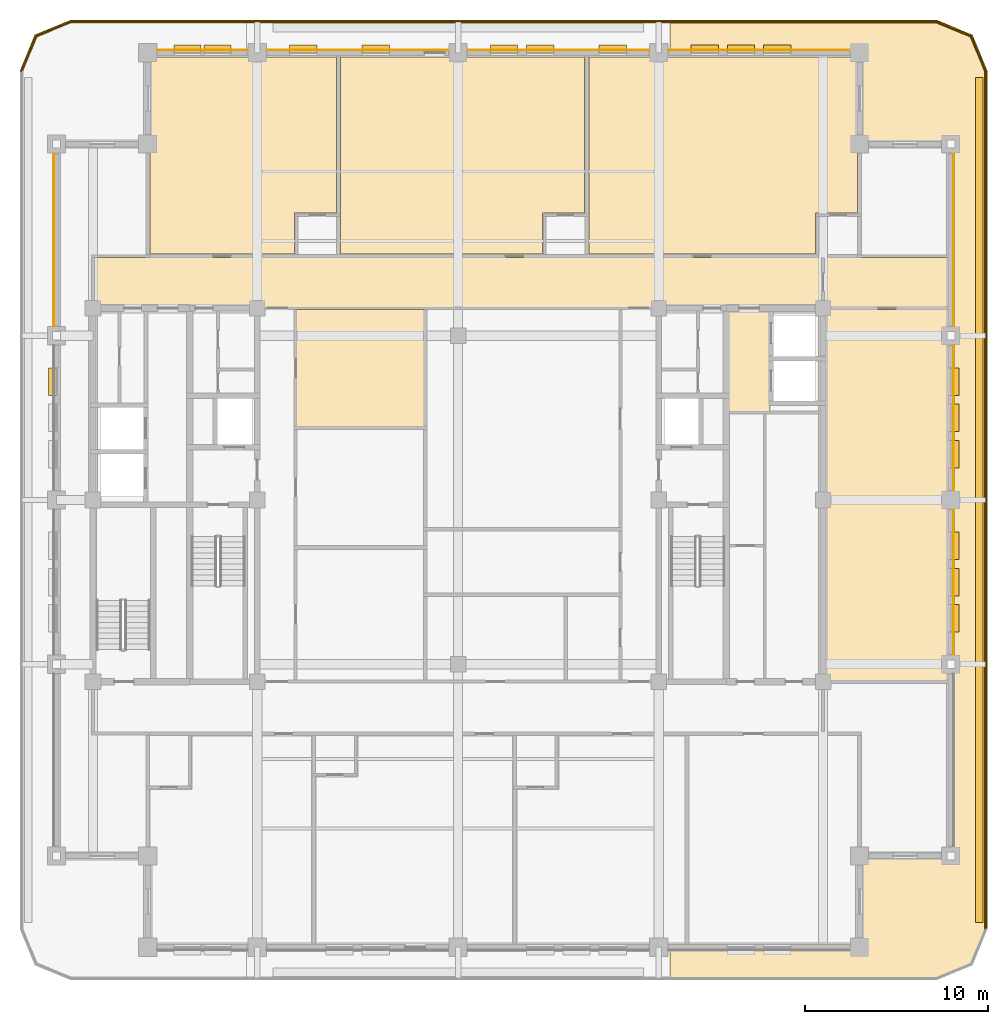
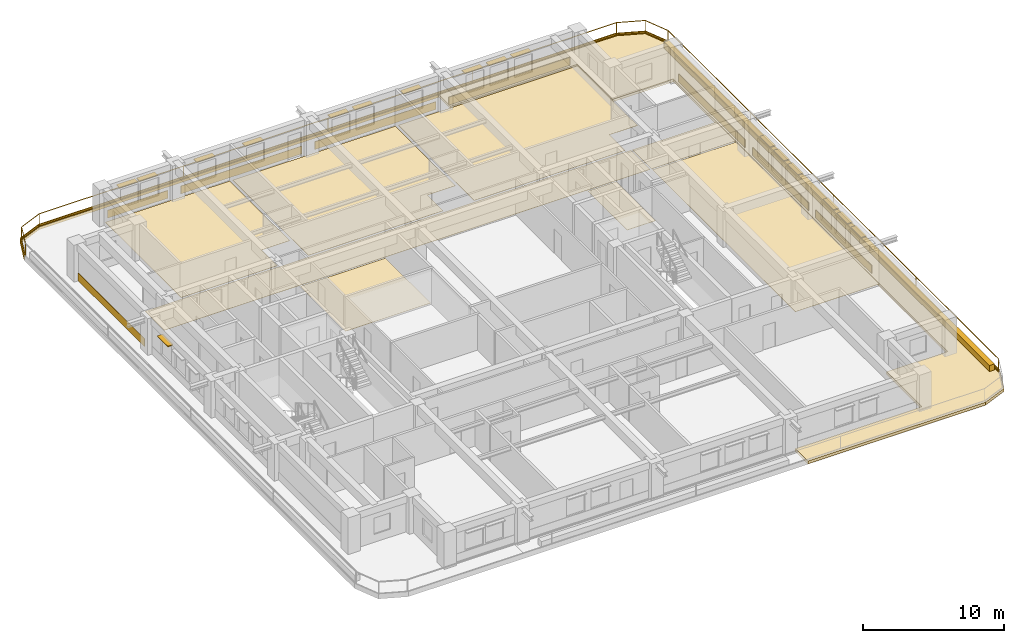
# One storey, part 13 of 13: 24 coverings, 17 shading devices, 2 railings.
"""IFC4 building model written with IfcOpenShell, lengths in metres."""

from ifc_helpers import new_model, si_unit, direction, frame, frame_2d, origin, origin_2d, place, context, subcontext, project, spatial, polyline, rectangle, outline, extrude, material, layer, layer_set, type_object, element, save


model = new_model("IFC4")

# Units and contexts
model_context = context("Model", 3, precision=1e-05, world=origin(), true_north=direction((0.0, 1.0)))
body_context = subcontext(model_context, "Body", "Model", "MODEL_VIEW")
ifc_project = project(units=[si_unit("LENGTHUNIT", "METRE"), si_unit("AREAUNIT", "SQUARE_METRE"), si_unit("VOLUMEUNIT", "CUBIC_METRE"), si_unit("PLANEANGLEUNIT", "RADIAN"), si_unit("MASSUNIT", "GRAM", prefix="KILO")], contexts=[model_context])

# Site, building, storey
site_placement = place(None, origin())
site = spatial("IfcSite", under=ifc_project, at=site_placement, CompositionType="ELEMENT")
building_placement = place(site_placement, origin())
building = spatial("IfcBuilding", under=site, at=building_placement, Name="Zulmaris Gate Convention Tower", CompositionType="ELEMENT")
storey_placement = place(building_placement, frame((0.0, 0.0, 176.259765625)))
storey = spatial("IfcBuildingStorey", under=building, at=storey_placement, Name="L45", CompositionType="ELEMENT", Elevation=176.259765625)

# Coverings
ifc_material_1 = material(Name="Precast concrete C40/50", Category="concrete")
ifc_layer_1 = layer(ifc_material_1, 0.0400390625, Name="Precast concrete C40/50")
ifc_layer_set_1 = layer_set([ifc_layer_1], Name="Precast concrete C40/50")
covering_type_1 = type_object("IfcCoveringType", Name="CLAD-SPANDREL-PRECAST", PredefinedType="CLADDING", material=ifc_layer_set_1)
covering_1_placement = place(storey_placement, frame((-11.530029296875, 24.64990234375, 0.0), z_axis=(0.0, 0.0, 1.0), x_axis=(-1.0, 0.0, 0.0)))
element("IfcCovering", 1, at=covering_1_placement, inside=storey, type_object=covering_type_1, Name="CLD-L45-N-0_0", PredefinedType="CLADDING", context=body_context, shape_type="SweptSolid", body=[
    extrude(rectangle(XDim=4.93994140625, YDim=0.0400390625, at=frame_2d((2.469970703125, 0.0))), origin(), (0.0, 0.0, 1.0), 0.679931640625),
])
for number, where, z_axis, x_axis, name in (
    (2, (-0.530029296875, 24.64990234375, 0.0), (0.0, 0.0, 1.0), (-1.0, 0.0, 0.0), "CLD-L45-N-1_0"),
    (3, (10.469970703125, 24.64990234375, 0.0), (0.0, 0.0, 1.0), (-1.0, 0.0, 0.0), "CLD-L45-N-2_0"),
    (4, (21.469970703125, 24.64990234375, 0.0), (0.0, 0.0, 1.0), (-1.0, 0.0, 0.0), "CLD-L45-N-3_0"),
):
    element("IfcCovering", number, at=place(storey_placement, frame(where, z_axis=z_axis, x_axis=x_axis)), inside=storey, type_object=covering_type_1, Name=name, PredefinedType="CLADDING", context=body_context, shape_type="SweptSolid", body=[
        extrude(rectangle(XDim=9.93994140625, YDim=0.0400390625, at=frame_2d((4.969970703125, 0.0))), origin(), (0.0, 0.0, 1.0), 0.679931640625),
    ])
for number, where, z_axis, x_axis, name in (
    (5, (27.14990234375, -8.469970703125, 0.0), (0.0, 0.0, 1.0), (0.0, 1.0, 0.0), "CLD-L45-E-1_0"),
    (6, (27.14990234375, 0.530029296875, 0.0), (0.0, 0.0, 1.0), (0.0, 1.0, 0.0), "CLD-L45-E-2_0"),
):
    element("IfcCovering", number, at=place(storey_placement, frame(where, z_axis=z_axis, x_axis=x_axis)), inside=storey, type_object=covering_type_1, Name=name, PredefinedType="CLADDING", context=body_context, shape_type="SweptSolid", body=[
        extrude(rectangle(XDim=7.93994140625, YDim=0.0400390625, at=frame_2d((3.969970703125, 0.0))), origin(), (0.0, 0.0, 1.0), 0.679931640625),
    ])
for number, where, z_axis, x_axis, name in (
    (7, (27.14990234375, 9.530029296875, 0.0), (0.0, 0.0, 1.0), (0.0, 1.0, 0.0), "CLD-L45-E-3_0"),
    (8, (-22.14990234375, 18.969970703125, 0.0), (0.0, 0.0, 1.0), (0.0, -1.0, 0.0), "CLD-L45-W-3_0"),
):
    element("IfcCovering", number, at=place(storey_placement, frame(where, z_axis=z_axis, x_axis=x_axis)), inside=storey, type_object=covering_type_1, Name=name, PredefinedType="CLADDING", context=body_context, shape_type="SweptSolid", body=[
        extrude(rectangle(XDim=9.43994140625, YDim=0.0400390625, at=frame_2d((4.719970703125, 0.0))), origin(), (0.0, 0.0, 1.0), 0.679931640625),
    ])
ifc_material_2 = material(Name="White Glazed Architectural Precast Concrete C40/50", Category="concrete")
ifc_layer_2 = layer(ifc_material_2, 0.239990234375, Name="White Glazed Architectural Precast Concrete C40/50")
ifc_layer_set_2 = layer_set([ifc_layer_2], Name="White Glazed Architectural Precast Concrete C40/50")
covering_type_2 = type_object("IfcCoveringType", Name="CLAD-TRAY-DECK", PredefinedType="CLADDING", material=ifc_layer_set_2)
covering_2_placement = place(storey_placement, frame((0.0, 0.0, -0.27490234375)))
element("IfcCovering", 9, at=covering_2_placement, inside=storey, type_object=covering_type_2, Name="L45 East Rounded-Fascia Planter Tray Deck", PredefinedType="CLADDING", context=body_context, shape_type="SweptSolid", body=[
    extrude(outline(polyline([(26.199951171875, 26.300048828125), (28.179931640625, 25.47998046875), (29.0, 23.5), (29.0, -23.5), (28.179931640625, -25.47998046875), (26.199951171875, -26.300048828125), (11.60205078125, -26.300048828125), (11.60205078125, -24.5), (22.0, -24.5), (22.0, -19.5), (27.0, -19.5), (27.0, 19.5), (22.0, 19.5), (22.0, 24.5), (11.60205078125, 24.5), (11.60205078125, 26.300048828125), (26.199951171875, 26.300048828125)])), origin(), (0.0, 0.0, 1.0), 0.239990234375),
])
ifc_layer_3 = layer(ifc_material_2, 0.080078125, Name="White Glazed Architectural Precast Concrete C40/50")
ifc_layer_set_3 = layer_set([ifc_layer_3], Name="White Glazed Architectural Precast Concrete C40/50")
covering_type_3 = type_object("IfcCoveringType", Name="CLAD-TRAY-FASCIA", PredefinedType="CLADDING", material=ifc_layer_set_3)
covering_3_placement = place(storey_placement, frame((28.9599609375, -23.5, -0.31494140625), z_axis=(0.0, 0.0, 1.0), x_axis=(0.0, 1.0, 0.0)))
element("IfcCovering", 10, at=covering_3_placement, inside=storey, type_object=covering_type_3, Name="FSC-L45-TR-05", PredefinedType="CLADDING", context=body_context, shape_type="SweptSolid", body=[
    extrude(rectangle(XDim=47.0, YDim=0.080078125, at=frame_2d((23.5, 0.0))), origin(), (0.0, 0.0, 1.0), 0.43994140625),
])
covering_4_placement = place(storey_placement, frame((28.962890625, 23.484619140625, -0.31494140625), z_axis=(0.0, 0.0, 1.0), x_axis=(-0.382656984709, 0.923890487046, 0.0)))
element("IfcCovering", 11, at=covering_4_placement, inside=storey, type_object=covering_type_3, Name="FSC-L45-TR-06", PredefinedType="CLADDING", context=body_context, shape_type="SweptSolid", body=[
    extrude(rectangle(XDim=2.14306640625, YDim=0.080078125, at=frame_2d((1.071533203125, 0.0))), origin(), (0.0, 0.0, 1.0), 0.43994140625),
])
covering_5_placement = place(storey_placement, frame((28.16455078125, 25.44287109375, -0.31494140625), z_axis=(0.0, 0.0, 1.0), x_axis=(-0.923873803533, 0.382697263049, 0.0)))
element("IfcCovering", 12, at=covering_5_placement, inside=storey, type_object=covering_type_3, Name="FSC-L45-TR-07", PredefinedType="CLADDING", context=body_context, shape_type="SweptSolid", body=[
    extrude(rectangle(XDim=2.142822265625, YDim=0.080078125, at=frame_2d((1.0712890625, 0.0))), origin(), (0.0, 0.0, 1.0), 0.43994140625),
])
covering_6_placement = place(storey_placement, frame((26.199951171875, 26.260009765625, -0.31494140625), z_axis=(0.0, 0.0, 1.0), x_axis=(-1.0, 0.0, 0.0)))
element("IfcCovering", 13, at=covering_6_placement, inside=storey, type_object=covering_type_3, Name="FSC-L45-TR-08", PredefinedType="CLADDING", context=body_context, shape_type="SweptSolid", body=[
    extrude(rectangle(XDim=47.39990234375, YDim=0.080078125, at=frame_2d((23.699951171875, 0.0))), origin(), (0.0, 0.0, 1.0), 0.43994140625),
])
covering_7_placement = place(storey_placement, frame((-21.184814453125, 26.262939453125, -0.31494140625), z_axis=(0.0, 0.0, 1.0), x_axis=(-0.923873803533, -0.382697263049, 0.0)))
element("IfcCovering", 14, at=covering_7_placement, inside=storey, type_object=covering_type_3, Name="FSC-L45-TR-09", PredefinedType="CLADDING", context=body_context, shape_type="SweptSolid", body=[
    extrude(rectangle(XDim=2.142822265625, YDim=0.080078125, at=frame_2d((1.0712890625, 0.0))), origin(), (0.0, 0.0, 1.0), 0.43994140625),
])
covering_8_placement = place(storey_placement, frame((-23.142822265625, 25.464599609375, -0.31494140625), z_axis=(0.0, 0.0, 1.0), x_axis=(-0.382656984709, -0.923890487046, 0.0)))
element("IfcCovering", 15, at=covering_8_placement, inside=storey, type_object=covering_type_3, Name="FSC-L45-TR-10", PredefinedType="CLADDING", context=body_context, shape_type="SweptSolid", body=[
    extrude(rectangle(XDim=2.14306640625, YDim=0.080078125, at=frame_2d((1.071533203125, 0.0))), origin(), (0.0, 0.0, 1.0), 0.43994140625),
])
ifc_material_3 = material(Name="Woven Acoustic Wool Carpet Tile")
ifc_layer_4 = layer(ifc_material_3, 0.02001953125, Name="Woven Acoustic Wool Carpet Tile")
ifc_layer_set_4 = layer_set([ifc_layer_4], Name="Woven Acoustic Wool Carpet Tile")
covering_type_4 = type_object("IfcCoveringType", Name="FLR-CARPET-12", PredefinedType="FLOORING", material=ifc_layer_set_4)
covering_9_placement = place(storey_placement, origin())
element("IfcCovering", 16, at=covering_9_placement, inside=storey, type_object=covering_type_4, Name="FLR-L45-R26", PredefinedType="FLOORING", context=body_context, shape_type="SweptSolid", body=[
    extrude(outline(polyline([(14.760009765625, 4.860107421875), (17.090087890625, 4.860107421875), (17.090087890625, 10.43994140625), (14.760009765625, 10.43994140625), (14.760009765625, 4.860107421875)])), origin(), (0.0, 0.0, 1.0), 0.02001953125),
])
covering_10_placement = place(storey_placement, origin())
element("IfcCovering", 17, at=covering_10_placement, inside=storey, type_object=covering_type_4, Name="FLR-L45-R32", PredefinedType="FLOORING", context=body_context, shape_type="SweptSolid", body=[
    extrude(outline(polyline([(-19.93994140625, 10.56005859375), (19.93994140625, 10.56005859375), (19.93994140625, 13.2900390625), (-19.93994140625, 13.2900390625), (-19.93994140625, 10.56005859375)])), origin(), (0.0, 0.0, 1.0), 0.02001953125),
])
covering_11_placement = place(storey_placement, origin())
element("IfcCovering", 18, at=covering_11_placement, inside=storey, type_object=covering_type_4, Name="FLR-L45-R56", PredefinedType="FLOORING", context=body_context, shape_type="SweptSolid", body=[
    extrude(outline(polyline([(20.06005859375, 10.56005859375), (26.93994140625, 10.56005859375), (26.93994140625, 13.2900390625), (20.06005859375, 13.2900390625), (20.06005859375, 10.56005859375)])), origin(), (0.0, 0.0, 1.0), 0.02001953125),
])
ifc_material_4 = material(Name="Engineered Teak Parquet Flooring")
ifc_layer_5 = layer(ifc_material_4, 0.02001953125, Name="Engineered Teak Parquet Flooring")
ifc_layer_set_5 = layer_set([ifc_layer_5], Name="Engineered Teak Parquet Flooring")
covering_type_5 = type_object("IfcCoveringType", Name="FLR-TIMBER-18", PredefinedType="FLOORING", material=ifc_layer_set_5)
covering_12_placement = place(storey_placement, origin())
element("IfcCovering", 19, at=covering_12_placement, inside=storey, type_object=covering_type_5, Name="FLR-L45-R37", PredefinedType="FLOORING", context=body_context, shape_type="SweptSolid", body=[
    extrude(outline(polyline([(-16.8798828125, 13.469970703125), (-8.969970703125, 13.469970703125), (-8.969970703125, 15.719970703125), (-6.669921875, 15.719970703125), (-6.669921875, 24.260009765625), (-16.8798828125, 24.260009765625), (-16.8798828125, 13.469970703125)])), origin(), (0.0, 0.0, 1.0), 0.02001953125),
])
covering_13_placement = place(storey_placement, origin())
element("IfcCovering", 20, at=covering_13_placement, inside=storey, type_object=covering_type_5, Name="FLR-L45-R39", PredefinedType="FLOORING", context=body_context, shape_type="SweptSolid", body=[
    extrude(outline(polyline([(-6.429931640625, 13.469970703125), (4.6298828125, 13.469970703125), (4.6298828125, 15.719970703125), (6.929931640625, 15.719970703125), (6.929931640625, 24.260009765625), (-6.429931640625, 24.260009765625), (-6.429931640625, 13.469970703125)])), origin(), (0.0, 0.0, 1.0), 0.02001953125),
])
covering_14_placement = place(storey_placement, origin())
element("IfcCovering", 21, at=covering_14_placement, inside=storey, type_object=covering_type_5, Name="FLR-L45-R41", PredefinedType="FLOORING", context=body_context, shape_type="SweptSolid", body=[
    extrude(outline(polyline([(7.169921875, 13.469970703125), (19.580078125, 13.469970703125), (19.580078125, 15.719970703125), (21.8798828125, 15.719970703125), (21.8798828125, 24.260009765625), (7.169921875, 24.260009765625), (7.169921875, 13.469970703125)])), origin(), (0.0, 0.0, 1.0), 0.02001953125),
])
covering_15_placement = place(storey_placement, origin())
element("IfcCovering", 22, at=covering_15_placement, inside=storey, type_object=covering_type_5, Name="FLR-L45-R49", PredefinedType="FLOORING", context=body_context, shape_type="SweptSolid", body=[
    extrude(outline(polyline([(-8.840087890625, 4.010009765625), (-1.860107421875, 4.010009765625), (-1.860107421875, 10.43994140625), (-8.840087890625, 10.43994140625), (-8.840087890625, 4.010009765625)])), origin(), (0.0, 0.0, 1.0), 0.02001953125),
])
covering_16_placement = place(storey_placement, origin())
element("IfcCovering", 23, at=covering_16_placement, inside=storey, type_object=covering_type_5, Name="FLR-L45-R57", PredefinedType="FLOORING", context=body_context, shape_type="SweptSolid", body=[
    extrude(outline(polyline([(20.06005859375, -9.889892578125), (26.93994140625, -9.889892578125), (26.93994140625, 10.43994140625), (20.06005859375, 10.43994140625), (20.06005859375, -9.889892578125)])), origin(), (0.0, 0.0, 1.0), 0.02001953125),
])
ifc_material_5 = material(Name="Botanical Green Glazed Precast Concrete C40/50", Category="concrete")
ifc_layer_6 = layer(ifc_material_5, 0.419921875, Name="Botanical Green Glazed Precast Concrete C40/50")
ifc_layer_set_6 = layer_set([ifc_layer_6], Name="Botanical Green Glazed Precast Concrete C40/50")
covering_type_6 = type_object("IfcCoveringType", Name="PLANTER-BOX-200", PredefinedType="CLADDING", material=ifc_layer_set_6)
covering_17_placement = place(storey_placement, frame((0.0, 0.0, -0.034912109375)))
element("IfcCovering", 24, at=covering_17_placement, inside=storey, type_object=covering_type_6, Name="L45 E Full-Length Balcony Tree Planter Trough", PredefinedType="CLADDING", context=body_context, shape_type="SweptSolid", body=[
    extrude(outline(polyline([(28.340087890625, -23.14990234375), (28.760009765625, -23.14990234375), (28.760009765625, 23.14990234375), (28.340087890625, 23.14990234375), (28.340087890625, -23.14990234375)])), origin(), (0.0, 0.0, 1.0), 0.52001953125),
])

# Railings
ifc_material_6 = material(Name="Laminated Glass and Stainless Steel", Category="steel")
railing_type = type_object("IfcRailingType", Name="RL-BALC-1150", PredefinedType="BALUSTRADE", material=ifc_material_6)
railing_1_placement = place(storey_placement, frame((28.8798828125, -23.5, -0.034912109375)))
element("IfcRailing", 25, at=railing_1_placement, inside=storey, type_object=railing_type, Name="RL-L45-BALC-E", PredefinedType="BALUSTRADE", context=body_context, shape_type="SweptSolid", body=[
    extrude(rectangle(XDim=0.048095703125, YDim=0.048095703125, at=origin_2d()), frame((0.0, 0.0, 1.1259765625), z_axis=(0.0, 1.0, 0.0), x_axis=(-1.0, 0.0, 0.0)), (0.0, 0.0, 1.0), 47.0),
    extrude(rectangle(XDim=0.048095703125, YDim=0.048095703125, at=origin_2d()), frame((0.0, 0.0, 0.02392578125), z_axis=(0.0, 1.0, 0.0), x_axis=(-1.0, 0.0, 0.0)), (0.0, 0.0, 1.0), 47.0),
    extrude(rectangle(XDim=0.0419921875, YDim=0.0419921875, at=origin_2d()), origin(), (0.0, 0.0, 1.0), 1.101806640625),
    extrude(rectangle(XDim=0.0419921875, YDim=0.0419921875, at=origin_2d()), frame((0.0, 11.75, 0.0)), (0.0, 0.0, 1.0), 1.101806640625),
    extrude(rectangle(XDim=0.0419921875, YDim=0.0419921875, at=origin_2d()), frame((0.0, 23.5, 0.0)), (0.0, 0.0, 1.0), 1.101806640625),
    extrude(rectangle(XDim=0.0419921875, YDim=0.0419921875, at=origin_2d()), frame((0.0, 35.25, 0.0)), (0.0, 0.0, 1.0), 1.101806640625),
    extrude(rectangle(XDim=0.0419921875, YDim=0.0419921875, at=origin_2d()), frame((0.0, 47.0, 0.0)), (0.0, 0.0, 1.0), 1.101806640625),
])
railing_2_placement = place(storey_placement, frame((28.8798828125, 23.5, -0.034912109375)))
element("IfcRailing", 26, at=railing_2_placement, inside=storey, type_object=railing_type, Name="RL-L45-BALC-N", PredefinedType="BALUSTRADE", context=body_context, shape_type="SweptSolid", body=[
    extrude(rectangle(XDim=0.048095703125, YDim=0.048095703125, at=origin_2d()), frame((0.0, 0.0, 1.1259765625), z_axis=(-0.382670664694, 0.92388482095, 0.0), x_axis=(-0.92388482095, -0.382670664694, 0.0)), (0.0, 0.0, 1.0), 2.051025390625),
    extrude(rectangle(XDim=0.048095703125, YDim=0.048095703125, at=origin_2d()), frame((0.0, 0.0, 0.02392578125), z_axis=(-0.382670664694, 0.92388482095, 0.0), x_axis=(-0.92388482095, -0.382670664694, 0.0)), (0.0, 0.0, 1.0), 2.051025390625),
    extrude(rectangle(XDim=0.048095703125, YDim=0.048095703125, at=origin_2d()), frame((-0.784912109375, 1.89501953125, 1.1259765625), z_axis=(-0.92388482095, 0.382670664694, 0.0), x_axis=(-0.382670664694, -0.92388482095, 0.0)), (0.0, 0.0, 1.0), 2.051025390625),
    extrude(rectangle(XDim=0.048095703125, YDim=0.048095703125, at=origin_2d()), frame((-0.784912109375, 1.89501953125, 0.02392578125), z_axis=(-0.92388482095, 0.382670664694, 0.0), x_axis=(-0.382670664694, -0.92388482095, 0.0)), (0.0, 0.0, 1.0), 2.051025390625),
    extrude(rectangle(XDim=0.048095703125, YDim=0.048095703125, at=origin_2d()), frame((-2.679931640625, 2.679931640625, 1.1259765625), z_axis=(-1.0, 0.0, 0.0), x_axis=(0.0, -1.0, 0.0)), (0.0, 0.0, 1.0), 47.39990234375),
    extrude(rectangle(XDim=0.048095703125, YDim=0.048095703125, at=origin_2d()), frame((-2.679931640625, 2.679931640625, 0.02392578125), z_axis=(-1.0, 0.0, 0.0), x_axis=(0.0, -1.0, 0.0)), (0.0, 0.0, 1.0), 47.39990234375),
    extrude(rectangle(XDim=0.048095703125, YDim=0.048095703125, at=origin_2d()), frame((-50.079833984375, 2.679931640625, 1.1259765625), z_axis=(-0.92388482095, -0.382670664694, 0.0), x_axis=(0.382670664694, -0.92388482095, 0.0)), (0.0, 0.0, 1.0), 2.051025390625),
    extrude(rectangle(XDim=0.048095703125, YDim=0.048095703125, at=origin_2d()), frame((-50.079833984375, 2.679931640625, 0.02392578125), z_axis=(-0.92388482095, -0.382670664694, 0.0), x_axis=(0.382670664694, -0.92388482095, 0.0)), (0.0, 0.0, 1.0), 2.051025390625),
    extrude(rectangle(XDim=0.048095703125, YDim=0.048095703125, at=origin_2d()), frame((-51.974853515625, 1.89501953125, 1.1259765625), z_axis=(-0.382670664694, -0.92388482095, 0.0), x_axis=(0.92388482095, -0.382670664694, 0.0)), (0.0, 0.0, 1.0), 2.051025390625),
    extrude(rectangle(XDim=0.048095703125, YDim=0.048095703125, at=origin_2d()), frame((-51.974853515625, 1.89501953125, 0.02392578125), z_axis=(-0.382670664694, -0.92388482095, 0.0), x_axis=(0.92388482095, -0.382670664694, 0.0)), (0.0, 0.0, 1.0), 2.051025390625),
    extrude(rectangle(XDim=0.0419921875, YDim=0.0419921875, at=origin_2d()), origin(), (0.0, 0.0, 1.0), 1.101806640625),
    extrude(rectangle(XDim=0.0419921875, YDim=0.0419921875, at=origin_2d()), frame((-0.784912109375, 1.89501953125, 0.0)), (0.0, 0.0, 1.0), 1.101806640625),
    extrude(rectangle(XDim=0.0419921875, YDim=0.0419921875, at=origin_2d()), frame((-2.679931640625, 2.679931640625, 0.0)), (0.0, 0.0, 1.0), 1.101806640625),
    extrude(rectangle(XDim=0.0419921875, YDim=0.0419921875, at=origin_2d()), frame((-14.52978515625, 2.679931640625, 0.0)), (0.0, 0.0, 1.0), 1.101806640625),
    extrude(rectangle(XDim=0.0419921875, YDim=0.0419921875, at=origin_2d()), frame((-26.3798828125, 2.679931640625, 0.0)), (0.0, 0.0, 1.0), 1.101806640625),
    extrude(rectangle(XDim=0.0419921875, YDim=0.0419921875, at=origin_2d()), frame((-38.22998046875, 2.679931640625, 0.0)), (0.0, 0.0, 1.0), 1.101806640625),
    extrude(rectangle(XDim=0.0419921875, YDim=0.0419921875, at=origin_2d()), frame((-50.079833984375, 2.679931640625, 0.0)), (0.0, 0.0, 1.0), 1.101806640625),
    extrude(rectangle(XDim=0.0419921875, YDim=0.0419921875, at=origin_2d()), frame((-51.974853515625, 1.89501953125, 0.0)), (0.0, 0.0, 1.0), 1.101806640625),
    extrude(rectangle(XDim=0.0419921875, YDim=0.0419921875, at=origin_2d()), frame((-52.759765625, 0.0, 0.0)), (0.0, 0.0, 1.0), 1.101806640625),
])

# Shading devices
ifc_material_7 = material(Name="Glazed Ceramic Terracotta", Category="masonry")
ifc_layer_7 = layer(ifc_material_7, 0.070068359375, Name="Glazed Ceramic Terracotta")
ifc_layer_set_7 = layer_set([ifc_layer_7], Name="Glazed Ceramic Terracotta")
shading_device_type = type_object("IfcShadingDeviceType", Name="SHD-SUNSHADE-TC", PredefinedType="AWNING", material=ifc_layer_set_7)
for number, where, z_axis, x_axis, name in (
    (27, (-12.427001953125, 24.719970703125, 2.35009765625), (0.0, 0.0, 1.0), (-1.0, 0.0, 0.0), "SHD-EW-L45-N-0_0-1"),
    (28, (-14.072998046875, 24.719970703125, 2.35009765625), (0.0, 0.0, 1.0), (-1.0, 0.0, 0.0), "SHD-EW-L45-N-0_0-2"),
    (29, (-3.756103515625, 24.719970703125, 2.35009765625), (0.0, 0.0, 1.0), (-1.0, 0.0, 0.0), "SHD-EW-L45-N-1_0-2"),
    (30, (-7.73193359375, 24.719970703125, 2.35009765625), (0.0, 0.0, 1.0), (-1.0, 0.0, 0.0), "SHD-EW-L45-N-1_0-4"),
    (31, (9.23193359375, 24.719970703125, 2.35009765625), (0.0, 0.0, 1.0), (-1.0, 0.0, 0.0), "SHD-EW-L45-N-2_0-1"),
    (32, (5.256103515625, 24.719970703125, 2.35009765625), (0.0, 0.0, 1.0), (-1.0, 0.0, 0.0), "SHD-EW-L45-N-2_0-3"),
    (33, (3.26806640625, 24.719970703125, 2.35009765625), (0.0, 0.0, 1.0), (-1.0, 0.0, 0.0), "SHD-EW-L45-N-2_0-4"),
    (34, (18.243896484375, 24.719970703125, 2.35009765625), (0.0, 0.0, 1.0), (-1.0, 0.0, 0.0), "SHD-EW-L45-N-3_0-2"),
    (35, (16.256103515625, 24.719970703125, 2.35009765625), (0.0, 0.0, 1.0), (-1.0, 0.0, 0.0), "SHD-EW-L45-N-3_0-3"),
    (36, (14.26806640625, 24.719970703125, 2.35009765625), (0.0, 0.0, 1.0), (-1.0, 0.0, 0.0), "SHD-EW-L45-N-3_0-4"),
    (37, (27.219970703125, -7.235107421875, 2.35009765625), (0.0, 0.0, 1.0), (0.0, 1.0, 0.0), "SHD-EW-L45-E-1_0-1"),
    (38, (27.219970703125, -5.25, 2.35009765625), (0.0, 0.0, 1.0), (0.0, 1.0, 0.0), "SHD-EW-L45-E-1_0-2"),
    (39, (27.219970703125, -3.264892578125, 2.35009765625), (0.0, 0.0, 1.0), (0.0, 1.0, 0.0), "SHD-EW-L45-E-1_0-3"),
    (40, (27.219970703125, 1.764892578125, 2.35009765625), (0.0, 0.0, 1.0), (0.0, 1.0, 0.0), "SHD-EW-L45-E-2_0-1"),
    (41, (27.219970703125, 3.75, 2.35009765625), (0.0, 0.0, 1.0), (0.0, 1.0, 0.0), "SHD-EW-L45-E-2_0-2"),
    (42, (27.219970703125, 5.735107421875, 2.35009765625), (0.0, 0.0, 1.0), (0.0, 1.0, 0.0), "SHD-EW-L45-E-2_0-3"),
    (43, (-22.219970703125, 7.235107421875, 2.35009765625), (0.0, 0.0, 1.0), (0.0, -1.0, 0.0), "SHD-EW-L45-W-2_0-1"),
):
    element("IfcShadingDevice", number, at=place(storey_placement, frame(where, z_axis=z_axis, x_axis=x_axis)), inside=storey, type_object=shading_device_type, Name=name, PredefinedType="AWNING", context=body_context, shape_type="SweptSolid", body=[
        extrude(rectangle(XDim=1.5, YDim=0.43994140625, at=frame_2d((0.75, 0.0))), origin(), (0.0, 0.0, 1.0), 0.06982421875),
    ])

save(model, "model.ifc")
